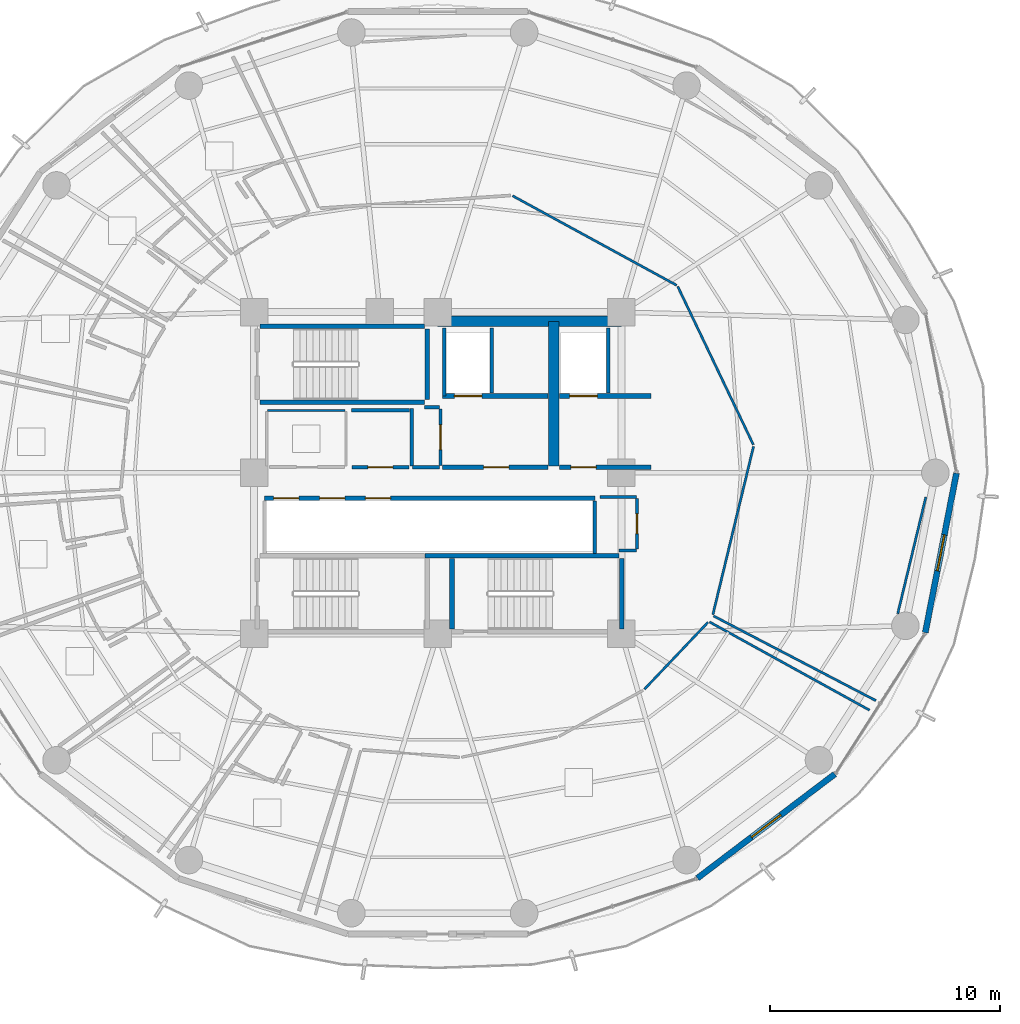
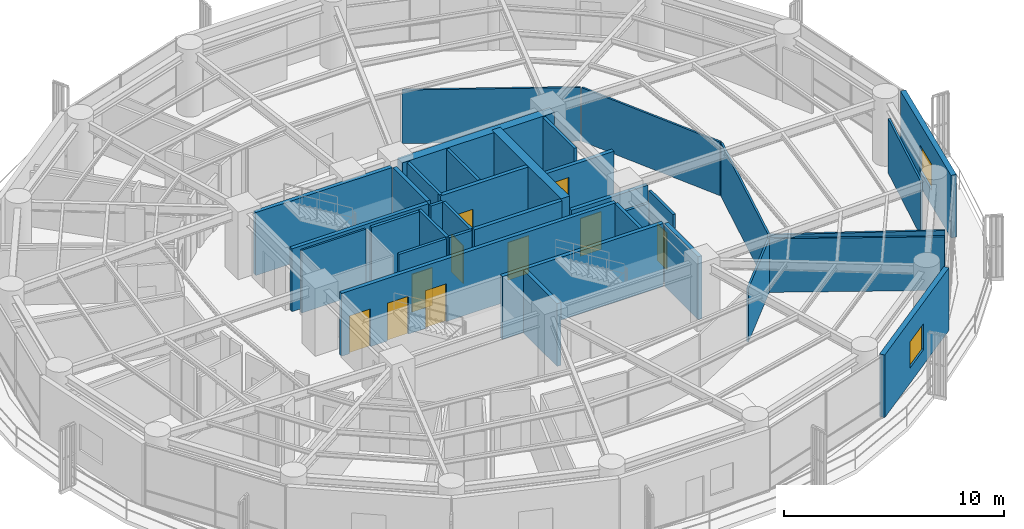
# One storey, part 23 of 29: 36 walls, 10 doors, 2 windows, 12 openings.
"""IFC4 building model written with IfcOpenShell, lengths in metres."""

import ifcopenshell
import ifcopenshell.guid

model = None  # the IFC model being written
_history = None  # IfcOwnerHistory: only IFC2X3 demands one
_inside = {}  # id of a spatial element -> (the spatial element, [elements in it])
_under = {}  # id of a project, library or spatial element -> (it, [spatial elements below it])
_declared = {}  # id of a project -> (the project, [libraries it declares])
_typed = {}  # id of a type object -> (the type object, [elements of that type])
_made_of = {}  # id of a material, layer set ... -> (it, [elements and type objects made of it])


def new_model(schema):
    """Start an empty IFC model of exactly this schema.

    Asked for "IFC4X3", IfcOpenShell would pick the latest addendum, in which some entities
    have other attributes; the version numbers below select the first issue.
    IFC2X3 requires an IfcOwnerHistory on every rooted entity: one is made here for all.
    """
    global model, _history
    if schema == "IFC4X3":
        model = ifcopenshell.file(schema_version=(4, 3, 0, 0))
    else:
        model = ifcopenshell.file(schema=schema)
    _inside.clear()
    _under.clear()
    _declared.clear()
    _typed.clear()
    _made_of.clear()
    _history = None
    if model.schema == "IFC2X3":
        org = make("IfcOrganization", Name="unknown")
        user = make(
            "IfcPersonAndOrganization",
            ThePerson=make("IfcPerson", FamilyName="unknown"),
            TheOrganization=org,
        )
        app = make(
            "IfcApplication",
            ApplicationDeveloper=org,
            Version="unknown",
            ApplicationFullName="unknown",
            ApplicationIdentifier="unknown",
        )
        _history = make(
            "IfcOwnerHistory",
            OwningUser=user,
            OwningApplication=app,
            ChangeAction="ADDED",
            CreationDate=0,
        )
    return model


def make(cls, **values):
    """One entity of the class cls with the attributes given. An attribute that is None is left unset."""
    return model.create_entity(
        cls, **{name: value for name, value in values.items() if value is not None}
    )


def rooted(cls, **values):
    """An entity with a GlobalId (a new one), such as an element, a storey or a relation."""
    return make(cls, GlobalId=ifcopenshell.guid.new(), OwnerHistory=_history, **values)


def si_unit(unit_type, name, prefix=None):
    """IfcSIUnit, for example si_unit("LENGTHUNIT", "METRE", prefix="MILLI")."""
    return make("IfcSIUnit", UnitType=unit_type, Prefix=prefix, Name=name)


def assignment(units):
    """IfcUnitAssignment: the units of a project."""
    return None if units is None else make("IfcUnitAssignment", Units=units)


def point(xyz):
    """IfcCartesianPoint."""
    return None if xyz is None else make("IfcCartesianPoint", Coordinates=xyz)


def direction(xyz):
    """IfcDirection."""
    return None if xyz is None else make("IfcDirection", DirectionRatios=xyz)


def frame(location, z_axis=None, x_axis=None):
    """IfcAxis2Placement3D, a coordinate frame: its origin and axes. An axis left out is left unset."""
    return make(
        "IfcAxis2Placement3D",
        Location=point(location),
        Axis=direction(z_axis),
        RefDirection=direction(x_axis),
    )


def frame_2d(location, x_axis=None):
    """IfcAxis2Placement2D, a coordinate frame in the plane: its origin and x axis."""
    return make(
        "IfcAxis2Placement2D", Location=point(location), RefDirection=direction(x_axis)
    )


def origin():
    """The frame at (0, 0, 0) with its axes left unset."""
    return frame((0.0, 0.0, 0.0))


def place(relative_to, where):
    """IfcLocalPlacement: puts the frame where relative to a parent placement (None: the world)."""
    return make(
        "IfcLocalPlacement", PlacementRelTo=relative_to, RelativePlacement=where
    )


def context(
    kind, dimensions, precision=None, world=None, true_north=None, identifier=None
):
    """IfcGeometricRepresentationContext, for example the 3D "Model" context."""
    return make(
        "IfcGeometricRepresentationContext",
        ContextIdentifier=identifier,
        ContextType=kind,
        CoordinateSpaceDimension=dimensions,
        Precision=precision,
        WorldCoordinateSystem=world,
        TrueNorth=true_north,
    )


def subcontext(parent, identifier, kind, view, scale=None):
    """IfcGeometricRepresentationSubContext, for example "Body" below "Model"."""
    return make(
        "IfcGeometricRepresentationSubContext",
        ContextIdentifier=identifier,
        ContextType=kind,
        ParentContext=parent,
        TargetScale=scale,
        TargetView=view,
    )


def project(units=None, contexts=None):
    """IfcProject with its units and contexts."""
    return rooted(
        "IfcProject",
        Name="project",
        RepresentationContexts=contexts,
        UnitsInContext=assignment(units),
    )


def spatial(cls, under=None, at=None, **own):
    """A site, building, storey or space (cls), placed at a placement, below another one or the project."""
    s = rooted(cls, ObjectPlacement=at, **own)
    if under is not None:
        _under.setdefault(under.id(), (under, []))[1].append(s)
    return s


def profile(cls, at=None, kind="AREA", **sizes):
    """A parametric profile (cls). Its sizes go by their IFC names, for example OverallWidth=200.0."""
    return make(cls, ProfileType=kind, Position=at, **sizes)


def rectangle(**sizes):
    """IfcRectangleProfileDef."""
    return profile("IfcRectangleProfileDef", **sizes)


def extrude(swept, where, along, depth):
    """IfcExtrudedAreaSolid: the profile swept, set in the frame where, extruded along a direction by depth."""
    return make(
        "IfcExtrudedAreaSolid",
        SweptArea=swept,
        Position=where,
        ExtrudedDirection=direction(along),
        Depth=depth,
    )


def shape(context_of_items, identifier, shape_type, items):
    """IfcShapeRepresentation: the items that make up one representation, for example the "Body"."""
    return make(
        "IfcShapeRepresentation",
        ContextOfItems=context_of_items,
        RepresentationIdentifier=identifier,
        RepresentationType=shape_type,
        Items=items,
    )


def material(Name=None, Category=None):
    """IfcMaterial."""
    return make("IfcMaterial", Name=Name, Category=Category)


def layer(
    of_material, thickness, ventilated=None, Name=None, Category=None, Priority=None
):
    """IfcMaterialLayer: one layer of a wall or slab, of a material (None: an air gap)."""
    return make(
        "IfcMaterialLayer",
        Material=of_material,
        LayerThickness=thickness,
        IsVentilated=ventilated,
        Name=Name,
        Category=Category,
        Priority=Priority,
    )


def layer_set(layers, Name=None):
    """IfcMaterialLayerSet."""
    return make("IfcMaterialLayerSet", MaterialLayers=layers, LayerSetName=Name)


def made_of(thing, what):
    """Note that an element or type object is made of a material, layer set ...; save() writes the relation."""
    if what is not None:
        _made_of.setdefault(what.id(), (what, []))[1].append(thing)
    return thing


def type_object(cls, material=None, **own):
    """A type object (cls), such as IfcWallType, which elements share."""
    return made_of(rooted(cls, **own), material)


def element(
    cls,
    number,
    at=None,
    inside=None,
    cuts=None,
    type_object=None,
    material=None,
    context=None,
    identifier="Body",
    shape_type=None,
    held_by="IfcProductDefinitionShape",
    body=None,
    shapes=None,
    **own,
):
    """One element of the class cls, such as IfcWall. Its Tag is "e" and its number.

    at: its placement. inside: the storey or other place that contains it. cuts: it is an
    opening in that element (IfcRelVoidsElement). A single representation is given by context,
    identifier, shape_type and body (its items); several are given by shapes. held_by: the class
    of the entity that holds the representations. save() writes the other relations.
    """
    e = rooted(cls, Tag="e%d" % number, ObjectPlacement=at, **own)
    if body is not None:
        shapes = [shape(context, identifier, shape_type, body)]
    if shapes is not None:
        e.Representation = make(held_by, Representations=shapes)
    if inside is not None:
        _inside.setdefault(inside.id(), (inside, []))[1].append(e)
    if cuts is not None:
        rooted(
            "IfcRelVoidsElement", RelatingBuildingElement=cuts, RelatedOpeningElement=e
        )
    if type_object is not None:
        _typed.setdefault(type_object.id(), (type_object, []))[1].append(e)
    return made_of(e, material)


def fill(opening, filler):
    """IfcRelFillsElement: the door or window that sits in an opening."""
    return rooted(
        "IfcRelFillsElement",
        RelatingOpeningElement=opening,
        RelatedBuildingElement=filler,
    )


def aggregate(whole, parts):
    """IfcRelAggregates: a whole, such as a stair, and the parts it consists of."""
    return rooted("IfcRelAggregates", RelatingObject=whole, RelatedObjects=parts)


def save(model, path):
    """Write the relations noted so far, then the file.

    IfcRelAggregates (storeys below a building ...), IfcRelContainedInSpatialStructure (elements
    in a storey), IfcRelDefinesByType, IfcRelAssociatesMaterial and IfcRelDeclares: one each for
    every whole, place, type object, material and project.
    """
    for whole, parts in _under.values():
        aggregate(whole, parts)
    for where, things in _inside.values():
        rooted(
            "IfcRelContainedInSpatialStructure",
            RelatedElements=things,
            RelatingStructure=where,
        )
    for kind, things in _typed.values():
        rooted("IfcRelDefinesByType", RelatedObjects=things, RelatingType=kind)
    for what, things in _made_of.values():
        rooted("IfcRelAssociatesMaterial", RelatedObjects=things, RelatingMaterial=what)
    for by, libraries in _declared.values():
        rooted("IfcRelDeclares", RelatingContext=by, RelatedDefinitions=libraries)
    model.write(path)


model = new_model("IFC4")

# Units and contexts
model_context = context("Model", 3, precision=1e-05, world=origin(), true_north=direction((0.0, 1.0)))
body_context = subcontext(model_context, "Body", "Model", "MODEL_VIEW")
ifc_project = project(units=[si_unit("LENGTHUNIT", "METRE"), si_unit("AREAUNIT", "SQUARE_METRE"), si_unit("VOLUMEUNIT", "CUBIC_METRE"), si_unit("PLANEANGLEUNIT", "RADIAN"), si_unit("MASSUNIT", "GRAM", prefix="KILO")], contexts=[model_context])

# Site, building, storey
site_placement = place(None, origin())
site = spatial("IfcSite", under=ifc_project, at=site_placement, CompositionType="ELEMENT")
building_placement = place(site_placement, origin())
building = spatial("IfcBuilding", under=site, at=building_placement, Name="Kelanora Arch Commons", CompositionType="ELEMENT")
storey_placement = place(building_placement, frame((0.0, 0.0, 135.60009765625)))
storey = spatial("IfcBuildingStorey", under=building, at=storey_placement, Name="L34", CompositionType="ELEMENT", Elevation=135.60009765625)

# Walls
ifc_material_1 = material(Name="Autoclaved aerated concrete blockwork with fire plaster", Category="masonry")
ifc_layer_1 = layer(ifc_material_1, 0.14990234375)
ifc_layer_set_1 = layer_set([ifc_layer_1], Name="Autoclaved aerated concrete blockwork with fire plaster")
wall_type_1 = type_object("IfcWallType", Name="W-COMP-150", PredefinedType="PARTITIONING", material=ifc_layer_set_1)
wall_1_placement = place(storey_placement, frame((74.280029296875, 61.35009765625, 0.0), z_axis=(0.0, 0.0, 1.0), x_axis=(0.0, 1.0, 0.0)))
element("IfcWall", 1, at=wall_1_placement, inside=storey, type_object=wall_type_1, Name="Firefighting Lift 1 West Shaft Wall L34", PredefinedType="PARTITIONING", context=body_context, shape_type="SweptSolid", body=[
    extrude(rectangle(XDim=2.969970703125, YDim=0.14990234375, at=frame_2d((1.48486328125, 0.0))), origin(), (0.0, 0.0, 1.0), 3.47998046875),
])
for number, where, z_axis, x_axis, name in (
    (2, (76.360107421875, 61.47998046875, 0.0), (0.0, 0.0, 1.0), (0.0, 1.0, 0.0), "Firefighting Lift 1 East Shaft Wall L34"),
    (3, (81.419921875, 61.47998046875, 0.0), (0.0, 0.0, 1.0), (0.0, 1.0, 0.0), "Firefighting Lift 2 East Shaft Wall L34"),
):
    element("IfcWall", number, at=place(storey_placement, frame(where, z_axis=z_axis, x_axis=x_axis)), inside=storey, type_object=wall_type_1, Name=name, PredefinedType="PARTITIONING", context=body_context, shape_type="SweptSolid", body=[
        extrude(rectangle(XDim=2.840087890625, YDim=0.14990234375, at=frame_2d((1.419921875, 0.0))), origin(), (0.0, 0.0, 1.0), 3.47998046875),
    ])
wall_2_placement = place(storey_placement, frame((80.840087890625, 54.47998046875, 0.0), z_axis=(0.0, 0.0, 1.0), x_axis=(0.0, 1.0, 0.0)))
element("IfcWall", 4, at=wall_2_placement, inside=storey, type_object=wall_type_1, Name="South Lift Bank East Wall L34", PredefinedType="PARTITIONING", context=body_context, shape_type="SweptSolid", body=[
    extrude(rectangle(XDim=2.2900390625, YDim=0.14990234375, at=frame_2d((1.14501953125, 0.0))), origin(), (0.0, 0.0, 1.0), 3.47998046875),
])

# Wall, opening, door
wall_3_placement = place(storey_placement, frame((74.1201171875, 58.31005859375, 0.0), z_axis=(0.0, 0.0, 1.0), x_axis=(0.0, 1.0, 0.0)))
wall_3 = element("IfcWall", 5, at=wall_3_placement, inside=storey, type_object=wall_type_1, Name="Core Linen Supply Store L34 Entry Partition", PredefinedType="PARTITIONING", context=body_context, shape_type="SweptSolid", body=[
    extrude(rectangle(XDim=2.47998046875, YDim=0.14990234375, at=frame_2d((1.239990234375, 0.0))), origin(), (0.0, 0.0, 1.0), 3.47998046875),
])
opening_1_placement = place(wall_3_placement, frame((0.699951171875, 0.0, 0.0)))
opening_1 = element("IfcOpeningElement", 6, at=opening_1_placement, cuts=wall_3, Name="Opening D-PLT1", PredefinedType="OPENING", context=body_context, shape_type="SweptSolid", body=[
    extrude(rectangle(XDim=1.080078125, YDim=2.10009765625, at=frame_2d((0.5400390625, 1.050048828125))), frame((0.0, 0.0849609375, 0.0), z_axis=(0.0, -1.0, 0.0), x_axis=(1.0, 0.0, 0.0)), (0.0, 0.0, 1.0), 0.169921875),
])
ifc_material_2 = material(Name="Galvanised steel plant and riser fire door", Category="steel")
door_type_1 = type_object("IfcDoorType", Name="D-PLT-110", OperationType="NOTDEFINED", PredefinedType="DOOR", material=ifc_material_2)
door_1_placement = place(opening_1_placement, origin())
door_1 = element("IfcDoor", 7, at=door_1_placement, inside=storey, type_object=door_type_1, Name="Core Linen Supply Store L34 Door", OperationType="SINGLE_SWING_RIGHT", OverallHeight=2.10009765625, OverallWidth=1.080078125, PredefinedType="DOOR", context=body_context, shape_type="SweptSolid", body=[
    extrude(rectangle(XDim=1.080078125, YDim=2.10009765625, at=frame_2d((0.5400390625, 1.050048828125))), frame((0.0, 0.02490234375, 0.0), z_axis=(0.0, -1.0, 0.0), x_axis=(1.0, 0.0, 0.0)), (0.0, 0.0, 1.0), 0.050048828125),
])
fill(opening_1, door_1)

wall_4_placement = place(storey_placement, frame((70.260009765625, 58.25, 0.0), z_axis=(0.0, 0.0, 1.0), x_axis=(1.0, 0.0, 0.0)))
wall_4 = element("IfcWall", 8, at=wall_4_placement, inside=storey, type_object=wall_type_1, Name="Reclaimed Core Linen Store L34 Entry Partition", PredefinedType="PARTITIONING", context=body_context, shape_type="SweptSolid", body=[
    extrude(rectangle(XDim=2.47998046875, YDim=0.14990234375, at=frame_2d((1.239990234375, 0.0))), origin(), (0.0, 0.0, 1.0), 3.47998046875),
])
opening_2_placement = place(wall_4_placement, frame((0.699951171875, 0.0, 0.0)))
opening_2 = element("IfcOpeningElement", 9, at=opening_2_placement, cuts=wall_4, Name="Opening D-PLT1", PredefinedType="OPENING", context=body_context, shape_type="SweptSolid", body=[
    extrude(rectangle(XDim=1.080078125, YDim=2.10009765625, at=frame_2d((0.5400390625, 1.050048828125))), frame((0.0, 0.0849609375, 0.0), z_axis=(0.0, -1.0, 0.0), x_axis=(1.0, 0.0, 0.0)), (0.0, 0.0, 1.0), 0.169921875),
])
door_2_placement = place(opening_2_placement, origin())
door_2 = element("IfcDoor", 10, at=door_2_placement, inside=storey, type_object=door_type_1, Name="Reclaimed Core Linen Store L34 Door", OperationType="SINGLE_SWING_LEFT", OverallHeight=2.10009765625, OverallWidth=1.080078125, PredefinedType="DOOR", context=body_context, shape_type="SweptSolid", body=[
    extrude(rectangle(XDim=1.080078125, YDim=2.10009765625, at=frame_2d((0.5400390625, 1.050048828125))), frame((0.0, 0.02490234375, 0.0), z_axis=(0.0, -1.0, 0.0), x_axis=(1.0, 0.0, 0.0)), (0.0, 0.0, 1.0), 0.050048828125),
])
fill(opening_2, door_2)

# Walls
wall_5_placement = place(storey_placement, frame((72.89990234375, 58.25, 0.0), z_axis=(0.0, 0.0, 1.0), x_axis=(1.0, 0.0, 0.0)))
element("IfcWall", 11, at=wall_5_placement, inside=storey, type_object=wall_type_1, Name="Core Linen Supply Store L34 Enclosure Partition 1", PredefinedType="PARTITIONING", context=body_context, shape_type="SweptSolid", body=[
    extrude(rectangle(XDim=1.18017578125, YDim=0.14990234375, at=frame_2d((0.590087890625, 0.0))), origin(), (0.0, 0.0, 1.0), 3.47998046875),
])
wall_6_placement = place(storey_placement, frame((74.080078125, 60.85009765625, 0.0), z_axis=(0.0, 0.0, 1.0), x_axis=(-1.0, 0.0, 0.0)))
element("IfcWall", 12, at=wall_6_placement, inside=storey, type_object=wall_type_1, Name="Core Linen Supply Store L34 Enclosure Partition 3", PredefinedType="PARTITIONING", context=body_context, shape_type="SweptSolid", body=[
    extrude(rectangle(XDim=0.66015625, YDim=0.14990234375, at=frame_2d((0.330078125, 0.0))), origin(), (0.0, 0.0, 1.0), 3.47998046875),
])
for number, where, z_axis, x_axis, name in (
    (13, (72.860107421875, 60.81005859375, 0.0), (0.0, 0.0, 1.0), (0.0, -1.0, 0.0), "Core Linen Supply Store L34 Enclosure Partition 4"),
    (14, (72.760009765625, 60.719970703125, 0.0), (0.0, 0.0, 1.0), (-1.0, 0.0, 0.0), "Reclaimed Core Linen Store L34 Enclosure Partition 3"),
):
    element("IfcWall", number, at=place(storey_placement, frame(where, z_axis=z_axis, x_axis=x_axis)), inside=storey, type_object=wall_type_1, Name=name, PredefinedType="PARTITIONING", context=body_context, shape_type="SweptSolid", body=[
        extrude(rectangle(XDim=2.52001953125, YDim=0.14990234375, at=frame_2d((1.260009765625, 0.0))), origin(), (0.0, 0.0, 1.0), 3.47998046875),
    ])
ifc_material_3 = material(Name="Concrete C60/75", Category="concrete")
ifc_layer_2 = layer(ifc_material_3, 0.449951171875)
ifc_layer_set_2 = layer_set([ifc_layer_2], Name="Concrete C60/75")
wall_type_2 = type_object("IfcWallType", Name="W-CORE-450", PredefinedType="SHEAR", material=ifc_layer_set_2)
wall_7_placement = place(storey_placement, frame((74.0, 64.60009765625, 0.0), z_axis=(0.0, 0.0, 1.0), x_axis=(1.0, 0.0, 0.0)))
element("IfcWall", 15, at=wall_7_placement, inside=storey, type_object=wall_type_2, Name="Core Shear Spine L34-CN-E", PredefinedType="SHEAR", context=body_context, shape_type="SweptSolid", body=[
    extrude(rectangle(XDim=8.0, YDim=0.449951171875, at=frame_2d((4.0, 0.0))), origin(), (0.0, 0.0, 1.0), 3.489990234375),
])
wall_8_placement = place(storey_placement, frame((79.050048828125, 58.300048828125, 0.0), z_axis=(0.0, 0.0, 1.0), x_axis=(0.0, 1.0, 0.0)))
element("IfcWall", 16, at=wall_8_placement, inside=storey, type_object=wall_type_2, Name="Core Shear Spine L34-CE-N", PredefinedType="SHEAR", context=body_context, shape_type="SweptSolid", body=[
    extrude(rectangle(XDim=6.300048828125, YDim=0.449951171875, at=frame_2d((3.14990234375, 0.0))), origin(), (0.0, 0.0, 1.0), 3.489990234375),
])

# Wall, opening, window
ifc_material_4 = material(Name="Precast concrete C40/50 with terracotta rainscreen", Category="masonry")
ifc_layer_3 = layer(ifc_material_4, 0.260009765625)
ifc_layer_set_3 = layer_set([ifc_layer_3], Name="Precast concrete C40/50 with terracotta rainscreen")
wall_type_3 = type_object("IfcWallType", Name="W-EXT-TC", PredefinedType="SOLIDWALL", material=ifc_layer_set_3)
wall_9_placement = place(storey_placement, frame((85.31201171875, 40.34228515625, 0.0), z_axis=(0.0, 0.0, 1.0), x_axis=(0.797163719609, 0.603763202042, 0.0)))
wall_9 = element("IfcWall", 17, at=wall_9_placement, inside=storey, type_object=wall_type_3, Name="Terracotta Exterior Wall L34-B15", PredefinedType="SOLIDWALL", context=body_context, shape_type="SweptSolid", body=[
    extrude(rectangle(XDim=7.51220703125, YDim=0.260009765625, at=frame_2d((3.756103515625, 0.0))), origin(), (0.0, 0.0, 1.0), 3.474853515625),
])
opening_3_placement = place(wall_9_placement, frame((2.9560546875, 0.0, 0.85009765625)))
opening_3 = element("IfcOpeningElement", 18, at=opening_3_placement, cuts=wall_9, Name="Opening WN-01", PredefinedType="OPENING", context=body_context, shape_type="SweptSolid", body=[
    extrude(rectangle(XDim=1.60009765625, YDim=1.449951171875, at=frame_2d((0.800048828125, 0.72509765625))), frame((0.0, 0.14013671875, 0.0), z_axis=(0.0, -1.0, 0.0), x_axis=(1.0, 0.0, 0.0)), (0.0, 0.0, 1.0), 0.280029296875),
])
ifc_material_5 = material(Name="Terracotta-anodised aluminium frame with operable low-E glazing", Category="masonry")
window_type = type_object("IfcWindowType", Name="WIN-CL-18", PartitioningType="DOUBLE_PANEL_VERTICAL", PredefinedType="WINDOW", material=ifc_material_5)
window_1_placement = place(opening_3_placement, origin())
window_1 = element("IfcWindow", 19, at=window_1_placement, inside=storey, type_object=window_type, Name="Co-Living Operable Window L34-B15", OverallHeight=1.449951171875, OverallWidth=1.60009765625, PartitioningType="SINGLE_PANEL", PredefinedType="WINDOW", context=body_context, shape_type="SweptSolid", body=[
    extrude(rectangle(XDim=1.60009765625, YDim=1.449951171875, at=frame_2d((0.800048828125, 0.72509765625))), frame((0.0, 0.030029296875, 0.0), z_axis=(0.0, -1.0, 0.0), x_axis=(1.0, 0.0, 0.0)), (0.0, 0.0, 1.0), 0.06005859375),
])
fill(opening_3, window_1)

wall_10_placement = place(storey_placement, frame((95.239990234375, 51.03759765625, 0.0), z_axis=(0.0, 0.0, 1.0), x_axis=(0.191716984769, 0.981450252306, 0.0)))
wall_10 = element("IfcWall", 20, at=wall_10_placement, inside=storey, type_object=wall_type_3, Name="Terracotta Exterior Wall L34-B17", PredefinedType="SOLIDWALL", context=body_context, shape_type="SweptSolid", body=[
    extrude(rectangle(XDim=7.0791015625, YDim=0.260009765625, at=frame_2d((3.53955078125, 0.0))), origin(), (0.0, 0.0, 1.0), 3.474853515625),
])
opening_4_placement = place(wall_10_placement, frame((2.739990234375, 0.0, 0.85009765625)))
opening_4 = element("IfcOpeningElement", 21, at=opening_4_placement, cuts=wall_10, Name="Opening WN-01", PredefinedType="OPENING", context=body_context, shape_type="SweptSolid", body=[
    extrude(rectangle(XDim=1.60009765625, YDim=1.449951171875, at=frame_2d((0.800048828125, 0.72509765625))), frame((0.0, 0.14013671875, 0.0), z_axis=(0.0, -1.0, 0.0), x_axis=(1.0, 0.0, 0.0)), (0.0, 0.0, 1.0), 0.280029296875),
])
window_2_placement = place(opening_4_placement, origin())
window_2 = element("IfcWindow", 22, at=window_2_placement, inside=storey, type_object=window_type, Name="Co-Living Operable Window L34-B17", OverallHeight=1.449951171875, OverallWidth=1.60009765625, PartitioningType="SINGLE_PANEL", PredefinedType="WINDOW", context=body_context, shape_type="SweptSolid", body=[
    extrude(rectangle(XDim=1.60009765625, YDim=1.449951171875, at=frame_2d((0.800048828125, 0.72509765625))), frame((0.0, 0.030029296875, 0.0), z_axis=(0.0, -1.0, 0.0), x_axis=(1.0, 0.0, 0.0)), (0.0, 0.0, 1.0), 0.06005859375),
])
fill(opening_4, window_2)

# Wall, opening, door
ifc_material_6 = material(Name="Concrete C40/50", Category="concrete")
ifc_layer_4 = layer(ifc_material_6, 0.199951171875)
ifc_layer_set_4 = layer_set([ifc_layer_4], Name="Concrete C40/50")
wall_type_4 = type_object("IfcWallType", Name="W-FFL-200", PredefinedType="SOLIDWALL", material=ifc_layer_set_4)
wall_11_placement = place(storey_placement, frame((74.199951171875, 61.35009765625, 0.0), z_axis=(0.0, 0.0, 1.0), x_axis=(1.0, 0.0, 0.0)))
wall_11 = element("IfcWall", 23, at=wall_11_placement, inside=storey, type_object=wall_type_4, Name="Firefighting Lift 1 Shaft Front L34", PredefinedType="SOLIDWALL", context=body_context, shape_type="SweptSolid", body=[
    extrude(rectangle(XDim=4.60009765625, YDim=0.199951171875, at=frame_2d((2.300048828125, 0.0))), origin(), (0.0, 0.0, 1.0), 3.47998046875),
])
opening_5_placement = place(wall_11_placement, frame((0.52001953125, 0.0, 0.0)))
opening_5 = element("IfcOpeningElement", 24, at=opening_5_placement, cuts=wall_11, Name="Opening LD-FF", PredefinedType="OPENING", context=body_context, shape_type="SweptSolid", body=[
    extrude(rectangle(XDim=1.199951171875, YDim=2.14990234375, at=frame_2d((0.60009765625, 1.074951171875))), frame((0.0, 0.10986328125, 0.0), z_axis=(0.0, -1.0, 0.0), x_axis=(1.0, 0.0, 0.0)), (0.0, 0.0, 1.0), 0.219970703125),
])
ifc_material_7 = material(Name="Fire-rated firefighters lift sliding landing door")
door_type_2 = type_object("IfcDoorType", Name="D-LIFT-FF", OperationType="NOTDEFINED", PredefinedType="DOOR", material=ifc_material_7)
door_3_placement = place(opening_5_placement, origin())
door_3 = element("IfcDoor", 25, at=door_3_placement, inside=storey, type_object=door_type_2, Name="Firefighting Lift LF-FF1 Landing Door L34", OperationType="DOUBLE_DOOR_SLIDING", OverallHeight=2.14990234375, OverallWidth=1.199951171875, PredefinedType="DOOR", context=body_context, shape_type="SweptSolid", body=[
    extrude(rectangle(XDim=1.199951171875, YDim=2.14990234375, at=frame_2d((0.60009765625, 1.074951171875))), frame((0.0, 0.02490234375, 0.0), z_axis=(0.0, -1.0, 0.0), x_axis=(1.0, 0.0, 0.0)), (0.0, 0.0, 1.0), 0.050048828125),
])
fill(opening_5, door_3)

wall_12_placement = place(storey_placement, frame((79.300048828125, 61.35009765625, 0.0), z_axis=(0.0, 0.0, 1.0), x_axis=(1.0, 0.0, 0.0)))
wall_12 = element("IfcWall", 26, at=wall_12_placement, inside=storey, type_object=wall_type_4, Name="Firefighting Lift 2 Shaft Front L34", PredefinedType="SOLIDWALL", context=body_context, shape_type="SweptSolid", body=[
    extrude(rectangle(XDim=4.0, YDim=0.199951171875, at=frame_2d((2.0, 0.0))), origin(), (0.0, 0.0, 1.0), 2.77490234375),
])
opening_6_placement = place(wall_12_placement, frame((0.449951171875, 0.0, 0.0)))
opening_6 = element("IfcOpeningElement", 27, at=opening_6_placement, cuts=wall_12, Name="Opening LD-FF", PredefinedType="OPENING", context=body_context, shape_type="SweptSolid", body=[
    extrude(rectangle(XDim=1.199951171875, YDim=2.14990234375, at=frame_2d((0.60009765625, 1.074951171875))), frame((0.0, 0.10986328125, 0.0), z_axis=(0.0, -1.0, 0.0), x_axis=(1.0, 0.0, 0.0)), (0.0, 0.0, 1.0), 0.219970703125),
])
door_4_placement = place(opening_6_placement, origin())
door_4 = element("IfcDoor", 28, at=door_4_placement, inside=storey, type_object=door_type_2, Name="Firefighting Lift LF-FF2 Landing Door L34", OperationType="DOUBLE_DOOR_SLIDING", OverallHeight=2.14990234375, OverallWidth=1.199951171875, PredefinedType="DOOR", context=body_context, shape_type="SweptSolid", body=[
    extrude(rectangle(XDim=1.199951171875, YDim=2.14990234375, at=frame_2d((0.60009765625, 1.074951171875))), frame((0.0, 0.02490234375, 0.0), z_axis=(0.0, -1.0, 0.0), x_axis=(1.0, 0.0, 0.0)), (0.0, 0.0, 1.0), 0.050048828125),
])
fill(opening_6, door_4)

wall_13_placement = place(storey_placement, frame((74.199951171875, 58.25, 0.0), z_axis=(0.0, 0.0, 1.0), x_axis=(1.0, 0.0, 0.0)))
wall_13 = element("IfcWall", 29, at=wall_13_placement, inside=storey, type_object=wall_type_4, Name="Firefighting Lobby 1 Enclosure Wall L34", PredefinedType="SOLIDWALL", context=body_context, shape_type="SweptSolid", body=[
    extrude(rectangle(XDim=4.60009765625, YDim=0.199951171875, at=frame_2d((2.300048828125, 0.0))), origin(), (0.0, 0.0, 1.0), 3.47998046875),
])
opening_7_placement = place(wall_13_placement, frame((1.800048828125, 0.0, 0.0)))
opening_7 = element("IfcOpeningElement", 30, at=opening_7_placement, cuts=wall_13, Name="Opening D-FFL1", PredefinedType="OPENING", context=body_context, shape_type="SweptSolid", body=[
    extrude(rectangle(XDim=1.10009765625, YDim=2.10009765625, at=frame_2d((0.550048828125, 1.050048828125))), frame((0.0, 0.10986328125, 0.0), z_axis=(0.0, -1.0, 0.0), x_axis=(1.0, 0.0, 0.0)), (0.0, 0.0, 1.0), 0.219970703125),
])
ifc_material_8 = material(Name="Smoke-sealed firefighting lobby fire door")
door_type_3 = type_object("IfcDoorType", Name="D-FFL-110", OperationType="NOTDEFINED", PredefinedType="DOOR", material=ifc_material_8)
door_5_placement = place(opening_7_placement, frame((1.10009765625, 0.0, 0.0), z_axis=(0.0, 0.0, 1.0), x_axis=(-1.0, 0.0, 0.0)))
door_5 = element("IfcDoor", 31, at=door_5_placement, inside=storey, type_object=door_type_3, Name="Firefighting Lobby 1 Door L34", OperationType="SINGLE_SWING_LEFT", OverallHeight=2.10009765625, OverallWidth=1.10009765625, PredefinedType="DOOR", context=body_context, shape_type="SweptSolid", body=[
    extrude(rectangle(XDim=1.10009765625, YDim=2.10009765625, at=frame_2d((0.550048828125, 1.050048828125))), frame((0.0, 0.02490234375, 0.0), z_axis=(0.0, -1.0, 0.0), x_axis=(1.0, 0.0, 0.0)), (0.0, 0.0, 1.0), 0.050048828125),
])
fill(opening_7, door_5)

wall_14_placement = place(storey_placement, frame((79.300048828125, 58.25, 0.0), z_axis=(0.0, 0.0, 1.0), x_axis=(1.0, 0.0, 0.0)))
wall_14 = element("IfcWall", 32, at=wall_14_placement, inside=storey, type_object=wall_type_4, Name="Firefighting Lobby 2 Enclosure Wall L34", PredefinedType="SOLIDWALL", context=body_context, shape_type="SweptSolid", body=[
    extrude(rectangle(XDim=4.0, YDim=0.199951171875, at=frame_2d((2.0, 0.0))), origin(), (0.0, 0.0, 1.0), 2.77490234375),
])
opening_8_placement = place(wall_14_placement, frame((0.5, 0.0, 0.0)))
opening_8 = element("IfcOpeningElement", 33, at=opening_8_placement, cuts=wall_14, Name="Opening D-FFL1", PredefinedType="OPENING", context=body_context, shape_type="SweptSolid", body=[
    extrude(rectangle(XDim=1.10009765625, YDim=2.10009765625, at=frame_2d((0.550048828125, 1.050048828125))), frame((0.0, 0.10986328125, 0.0), z_axis=(0.0, -1.0, 0.0), x_axis=(1.0, 0.0, 0.0)), (0.0, 0.0, 1.0), 0.219970703125),
])
door_6_placement = place(opening_8_placement, frame((1.10009765625, 0.0, 0.0), z_axis=(0.0, 0.0, 1.0), x_axis=(-1.0, 0.0, 0.0)))
door_6 = element("IfcDoor", 34, at=door_6_placement, inside=storey, type_object=door_type_3, Name="Firefighting Lobby 2 Door L34", OperationType="SINGLE_SWING_RIGHT", OverallHeight=2.10009765625, OverallWidth=1.10009765625, PredefinedType="DOOR", context=body_context, shape_type="SweptSolid", body=[
    extrude(rectangle(XDim=1.10009765625, YDim=2.10009765625, at=frame_2d((0.550048828125, 1.050048828125))), frame((0.0, 0.02490234375, 0.0), z_axis=(0.0, -1.0, 0.0), x_axis=(1.0, 0.0, 0.0)), (0.0, 0.0, 1.0), 0.050048828125),
])
fill(opening_8, door_6)

# Wall, openings, doors
wall_15_placement = place(storey_placement, frame((66.449951171875, 56.89990234375, 0.0), z_axis=(0.0, 0.0, 1.0), x_axis=(1.0, 0.0, 0.0)))
wall_15 = element("IfcWall", 35, at=wall_15_placement, inside=storey, type_object=wall_type_4, Name="Mid/High/Express Lift Shaft Front L34", PredefinedType="SOLIDWALL", context=body_context, shape_type="SweptSolid", body=[
    extrude(rectangle(XDim=14.400146484375, YDim=0.199951171875, at=frame_2d((7.2001953125, 0.0))), origin(), (0.0, 0.0, 1.0), 3.47998046875),
])
opening_9_placement = place(wall_15_placement, frame((0.39990234375, 0.0, 0.0)))
opening_9 = element("IfcOpeningElement", 36, at=opening_9_placement, cuts=wall_15, Name="Opening LD-01", PredefinedType="OPENING", context=body_context, shape_type="SweptSolid", body=[
    extrude(rectangle(XDim=1.10009765625, YDim=2.10009765625, at=frame_2d((0.550048828125, 1.050048828125))), frame((0.0, 0.10986328125, 0.0), z_axis=(0.0, -1.0, 0.0), x_axis=(1.0, 0.0, 0.0)), (0.0, 0.0, 1.0), 0.219970703125),
])
opening_10_placement = place(wall_15_placement, frame((2.39990234375, 0.0, 0.0)))
opening_10 = element("IfcOpeningElement", 37, at=opening_10_placement, cuts=wall_15, Name="Opening LD-01", PredefinedType="OPENING", context=body_context, shape_type="SweptSolid", body=[
    extrude(rectangle(XDim=1.10009765625, YDim=2.10009765625, at=frame_2d((0.550048828125, 1.050048828125))), frame((0.0, 0.10986328125, 0.0), z_axis=(0.0, -1.0, 0.0), x_axis=(1.0, 0.0, 0.0)), (0.0, 0.0, 1.0), 0.219970703125),
])
opening_11_placement = place(wall_15_placement, frame((4.39990234375, 0.0, 0.0)))
opening_11 = element("IfcOpeningElement", 38, at=opening_11_placement, cuts=wall_15, Name="Opening LD-01", PredefinedType="OPENING", context=body_context, shape_type="SweptSolid", body=[
    extrude(rectangle(XDim=1.10009765625, YDim=2.10009765625, at=frame_2d((0.550048828125, 1.050048828125))), frame((0.0, 0.10986328125, 0.0), z_axis=(0.0, -1.0, 0.0), x_axis=(1.0, 0.0, 0.0)), (0.0, 0.0, 1.0), 0.219970703125),
])
ifc_material_9 = material(Name="Stainless steel passenger lift sliding landing door", Category="steel")
door_type_4 = type_object("IfcDoorType", Name="D-LIFT-110", OperationType="NOTDEFINED", PredefinedType="DOOR", material=ifc_material_9)
door_7_placement = place(opening_9_placement, origin())
door_7 = element("IfcDoor", 39, at=door_7_placement, inside=storey, type_object=door_type_4, Name="Passenger Lift LF-P4 Landing Door L34", OperationType="DOUBLE_DOOR_SLIDING", OverallHeight=2.10009765625, OverallWidth=1.10009765625, PredefinedType="DOOR", context=body_context, shape_type="SweptSolid", body=[
    extrude(rectangle(XDim=1.10009765625, YDim=2.10009765625, at=frame_2d((0.550048828125, 1.050048828125))), frame((0.0, 0.02490234375, 0.0), z_axis=(0.0, -1.0, 0.0), x_axis=(1.0, 0.0, 0.0)), (0.0, 0.0, 1.0), 0.050048828125),
])
fill(opening_9, door_7)
door_8_placement = place(opening_10_placement, origin())
door_8 = element("IfcDoor", 40, at=door_8_placement, inside=storey, type_object=door_type_4, Name="Passenger Lift LF-P5 Landing Door L34", OperationType="DOUBLE_DOOR_SLIDING", OverallHeight=2.10009765625, OverallWidth=1.10009765625, PredefinedType="DOOR", context=body_context, shape_type="SweptSolid", body=[
    extrude(rectangle(XDim=1.10009765625, YDim=2.10009765625, at=frame_2d((0.550048828125, 1.050048828125))), frame((0.0, 0.02490234375, 0.0), z_axis=(0.0, -1.0, 0.0), x_axis=(1.0, 0.0, 0.0)), (0.0, 0.0, 1.0), 0.050048828125),
])
fill(opening_10, door_8)
door_9_placement = place(opening_11_placement, origin())
door_9 = element("IfcDoor", 41, at=door_9_placement, inside=storey, type_object=door_type_4, Name="Passenger Lift LF-P6 Landing Door L34", OperationType="DOUBLE_DOOR_SLIDING", OverallHeight=2.10009765625, OverallWidth=1.10009765625, PredefinedType="DOOR", context=body_context, shape_type="SweptSolid", body=[
    extrude(rectangle(XDim=1.10009765625, YDim=2.10009765625, at=frame_2d((0.550048828125, 1.050048828125))), frame((0.0, 0.02490234375, 0.0), z_axis=(0.0, -1.0, 0.0), x_axis=(1.0, 0.0, 0.0)), (0.0, 0.0, 1.0), 0.050048828125),
])
fill(opening_11, door_9)

# Walls
ifc_material_10 = material(Name="Lightweight fire-rated acoustic stud partition")
ifc_layer_5 = layer(ifc_material_10, 0.10009765625)
ifc_layer_set_5 = layer_set([ifc_layer_5], Name="Lightweight fire-rated acoustic stud partition")
wall_type_5 = type_object("IfcWallType", Name="W-PART-100", PredefinedType="PARTITIONING", material=ifc_layer_set_5)
wall_16_placement = place(storey_placement, frame((69.9599609375, 60.719970703125, 0.0), z_axis=(0.0, 0.0, 1.0), x_axis=(-1.0, 0.0, 0.0)))
element("IfcWall", 42, at=wall_16_placement, inside=storey, type_object=wall_type_5, Name="Reclaimed Core Quiet Phone Booths L34 Enclosure Partition 3", PredefinedType="PARTITIONING", context=body_context, shape_type="SweptSolid", body=[
    extrude(rectangle(XDim=3.369873046875, YDim=0.10009765625, at=frame_2d((1.68505859375, 0.0))), origin(), (0.0, 0.0, 1.0), 3.47998046875),
])
wall_17_placement = place(storey_placement, frame((83.00048828125, 48.570068359375, 0.0), z_axis=(0.0, 0.0, 1.0), x_axis=(0.688528308603, 0.725209465088, 0.0)))
element("IfcWall", 43, at=wall_17_placement, inside=storey, type_object=wall_type_5, Name="South-East Social Sky Lounge L34 Enclosure Partition 4", PredefinedType="PARTITIONING", context=body_context, shape_type="SweptSolid", body=[
    extrude(rectangle(XDim=4.033447265625, YDim=0.10009765625, at=frame_2d((2.0166015625, 0.0))), origin(), (0.0, 0.0, 1.0), 2.974853515625),
])
wall_18_placement = place(storey_placement, frame((85.840087890625, 51.504638671875, 0.0), z_axis=(0.0, 0.0, 1.0), x_axis=(0.875725262543, -0.482809760199, 0.0)))
element("IfcWall", 44, at=wall_18_placement, inside=storey, type_object=wall_type_5, Name="South-East Social Sky Lounge L34 Enclosure Partition 5", PredefinedType="PARTITIONING", context=body_context, shape_type="SweptSolid", body=[
    extrude(rectangle(XDim=7.960205078125, YDim=0.10009765625, at=frame_2d((3.97998046875, 0.0))), origin(), (0.0, 0.0, 1.0), 2.974853515625),
])
wall_19_placement = place(storey_placement, frame((85.986328125, 51.823974609375, 0.0), z_axis=(0.0, 0.0, 1.0), x_axis=(0.234816749424, 0.972039656696, 0.0)))
element("IfcWall", 45, at=wall_19_placement, inside=storey, type_object=wall_type_5, Name="North-East Quiet Study Commons L34 Enclosure Partition 1", PredefinedType="PARTITIONING", context=body_context, shape_type="SweptSolid", body=[
    extrude(rectangle(XDim=7.538818359375, YDim=0.10009765625, at=frame_2d((3.76953125, 0.0))), origin(), (0.0, 0.0, 1.0), 2.974853515625),
])
wall_20_placement = place(storey_placement, frame((87.748779296875, 59.22705078125, 0.0), z_axis=(0.0, 0.0, 1.0), x_axis=(-0.431199882011, 0.902256427937, 0.0)))
element("IfcWall", 46, at=wall_20_placement, inside=storey, type_object=wall_type_5, Name="North-East Quiet Study Commons L34 Enclosure Partition 2", PredefinedType="PARTITIONING", context=body_context, shape_type="SweptSolid", body=[
    extrude(rectangle(XDim=7.638427734375, YDim=0.10009765625, at=frame_2d((3.8193359375, 0.0))), origin(), (0.0, 0.0, 1.0), 2.974853515625),
])
wall_21_placement = place(storey_placement, frame((84.40283203125, 66.17431640625, 0.0), z_axis=(0.0, 0.0, 1.0), x_axis=(-0.877909341639, 0.478826887156, 0.0)))
element("IfcWall", 47, at=wall_21_placement, inside=storey, type_object=wall_type_5, Name="North-East Quiet Study Commons L34 Enclosure Partition 3", PredefinedType="PARTITIONING", context=body_context, shape_type="SweptSolid", body=[
    extrude(rectangle(XDim=8.13134765625, YDim=0.10009765625, at=frame_2d((4.065673828125, 0.0))), origin(), (0.0, 0.0, 1.0), 2.974853515625),
])
wall_22_placement = place(storey_placement, frame((95.264404296875, 56.94482421875, 0.0), z_axis=(0.0, 0.0, 1.0), x_axis=(-0.234422763118, -0.97213474793, 0.0)))
element("IfcWall", 48, at=wall_22_placement, inside=storey, type_object=wall_type_5, Name="North-East Quiet Study Commons L34 Enclosure Partition 9", PredefinedType="PARTITIONING", context=body_context, shape_type="SweptSolid", body=[
    extrude(rectangle(XDim=5.223876953125, YDim=0.10009765625, at=frame_2d((2.61181640625, 0.0))), origin(), (0.0, 0.0, 1.0), 3.02490234375),
])
wall_23_placement = place(storey_placement, frame((93.08642578125, 48.07861328125, 0.0), z_axis=(0.0, 0.0, 1.0), x_axis=(-0.886727770337, 0.462291965443, 0.0)))
element("IfcWall", 49, at=wall_23_placement, inside=storey, type_object=wall_type_5, Name="North-East Quiet Study Commons L34 Enclosure Partition 10", PredefinedType="PARTITIONING", context=body_context, shape_type="SweptSolid", body=[
    extrude(rectangle(XDim=7.9775390625, YDim=0.10009765625, at=frame_2d((3.98876953125, 0.0))), origin(), (0.0, 0.0, 1.0), 2.974853515625),
])
ifc_layer_6 = layer(ifc_material_6, 0.199951171875)
ifc_layer_set_6 = layer_set([ifc_layer_6], Name="Concrete C40/50")
wall_type_6 = type_object("IfcWallType", Name="W-STAIR-200", PredefinedType="SHEAR", material=ifc_layer_set_6)
wall_24_placement = place(storey_placement, frame((66.260009765625, 61.080078125, 0.0), z_axis=(0.0, 0.0, 1.0), x_axis=(1.0, 0.0, 0.0)))
element("IfcWall", 50, at=wall_24_placement, inside=storey, type_object=wall_type_6, Name="Stair ST-T1 Shaft Wall S L34", PredefinedType="SHEAR", context=body_context, shape_type="SweptSolid", body=[
    extrude(rectangle(XDim=7.159912109375, YDim=0.199951171875, at=frame_2d((3.580078125, 0.0))), origin(), (0.0, 0.0, 1.0), 3.489990234375),
])
wall_25_placement = place(storey_placement, frame((73.5400390625, 61.199951171875, 0.0), z_axis=(0.0, 0.0, 1.0), x_axis=(0.0, 1.0, 0.0)))
element("IfcWall", 51, at=wall_25_placement, inside=storey, type_object=wall_type_6, Name="Stair ST-T1 Shaft Wall E L34", PredefinedType="SHEAR", context=body_context, shape_type="SweptSolid", body=[
    extrude(rectangle(XDim=3.070068359375, YDim=0.199951171875, at=frame_2d((1.53515625, 0.0))), origin(), (0.0, 0.0, 1.0), 3.489990234375),
])
wall_26_placement = place(storey_placement, frame((73.419921875, 64.389892578125, 0.0), z_axis=(0.0, 0.0, 1.0), x_axis=(-1.0, 0.0, 0.0)))
element("IfcWall", 52, at=wall_26_placement, inside=storey, type_object=wall_type_6, Name="Stair ST-T1 Shaft Wall N L34", PredefinedType="SHEAR", context=body_context, shape_type="SweptSolid", body=[
    extrude(rectangle(XDim=7.159912109375, YDim=0.199951171875, at=frame_2d((3.580078125, 0.0))), origin(), (0.0, 0.0, 1.0), 3.489990234375),
])
wall_27_placement = place(storey_placement, frame((82.02001953125, 51.199951171875, 0.0), z_axis=(0.0, 0.0, 1.0), x_axis=(0.0, 1.0, 0.0)))
element("IfcWall", 53, at=wall_27_placement, inside=storey, type_object=wall_type_6, Name="Stair ST-T2 Shaft Wall E L34", PredefinedType="SHEAR", context=body_context, shape_type="SweptSolid", body=[
    extrude(rectangle(XDim=3.070068359375, YDim=0.199951171875, at=frame_2d((1.53515625, 0.0))), origin(), (0.0, 0.0, 1.0), 3.489990234375),
])
wall_28_placement = place(storey_placement, frame((81.89990234375, 54.389892578125, 0.0), z_axis=(0.0, 0.0, 1.0), x_axis=(-1.0, 0.0, 0.0)))
element("IfcWall", 54, at=wall_28_placement, inside=storey, type_object=wall_type_6, Name="Stair ST-T2 Shaft Wall N L34", PredefinedType="SHEAR", context=body_context, shape_type="SweptSolid", body=[
    extrude(rectangle(XDim=8.4599609375, YDim=0.199951171875, at=frame_2d((4.22998046875, 0.0))), origin(), (0.0, 0.0, 1.0), 3.489990234375),
])
wall_29_placement = place(storey_placement, frame((74.6201171875, 54.27001953125, 0.0), z_axis=(0.0, 0.0, 1.0), x_axis=(0.0, -1.0, 0.0)))
element("IfcWall", 55, at=wall_29_placement, inside=storey, type_object=wall_type_6, Name="Stair ST-T2 Shaft Wall W L34", PredefinedType="SHEAR", context=body_context, shape_type="SweptSolid", body=[
    extrude(rectangle(XDim=3.070068359375, YDim=0.199951171875, at=frame_2d((1.53515625, 0.0))), origin(), (0.0, 0.0, 1.0), 3.489990234375),
])

# Wall, opening, door
ifc_material_11 = material(Name="Moisture-resistant fire-rated cement-board plumbing wall")
ifc_layer_7 = layer(ifc_material_11, 0.1298828125)
ifc_layer_set_7 = layer_set([ifc_layer_7], Name="Moisture-resistant fire-rated cement-board plumbing wall")
wall_type_7 = type_object("IfcWallType", Name="W-WET-120", PredefinedType="PLUMBINGWALL", material=ifc_layer_set_7)
wall_30_placement = place(storey_placement, frame((82.679931640625, 54.679931640625, 0.0), z_axis=(0.0, 0.0, 1.0), x_axis=(0.0, 1.0, 0.0)))
wall_30 = element("IfcWall", 56, at=wall_30_placement, inside=storey, type_object=wall_type_7, Name="Core Accessible Unisex WC L34 Entry Partition", PredefinedType="PLUMBINGWALL", context=body_context, shape_type="SweptSolid", body=[
    extrude(rectangle(XDim=2.2099609375, YDim=0.1298828125, at=frame_2d((1.10498046875, 0.0))), origin(), (0.0, 0.0, 1.0), 3.47998046875),
])
opening_12_placement = place(wall_30_placement, frame((0.675048828125, 0.0, 0.0)))
opening_12 = element("IfcOpeningElement", 57, at=opening_12_placement, cuts=wall_30, Name="Opening D-BT1", PredefinedType="OPENING", context=body_context, shape_type="SweptSolid", body=[
    extrude(rectangle(XDim=0.860107421875, YDim=2.050048828125, at=frame_2d((0.43017578125, 1.02490234375))), frame((0.0, 0.074951171875, 0.0), z_axis=(0.0, -1.0, 0.0), x_axis=(1.0, 0.0, 0.0)), (0.0, 0.0, 1.0), 0.14990234375),
])
ifc_material_12 = material(Name="Moisture-sealed fire-rated accessible bathroom door")
door_type_5 = type_object("IfcDoorType", Name="D-BATH-85", OperationType="NOTDEFINED", PredefinedType="DOOR", material=ifc_material_12)
door_10_placement = place(opening_12_placement, origin())
door_10 = element("IfcDoor", 58, at=door_10_placement, inside=storey, type_object=door_type_5, Name="Core Accessible Unisex WC L34 Door", OperationType="SINGLE_SWING_LEFT", OverallHeight=2.050048828125, OverallWidth=0.860107421875, PredefinedType="DOOR", context=body_context, shape_type="SweptSolid", body=[
    extrude(rectangle(XDim=0.860107421875, YDim=2.050048828125, at=frame_2d((0.43017578125, 1.02490234375))), frame((0.0, 0.02490234375, 0.0), z_axis=(0.0, -1.0, 0.0), x_axis=(1.0, 0.0, 0.0)), (0.0, 0.0, 1.0), 0.050048828125),
])
fill(opening_12, door_10)

# Walls
wall_31_placement = place(storey_placement, frame((81.89990234375, 54.6201171875, 0.0), z_axis=(0.0, 0.0, 1.0), x_axis=(1.0, 0.0, 0.0)))
element("IfcWall", 59, at=wall_31_placement, inside=storey, type_object=wall_type_7, Name="Core Accessible Unisex WC L34 Enclosure Partition 1", PredefinedType="PLUMBINGWALL", context=body_context, shape_type="SweptSolid", body=[
    extrude(rectangle(XDim=0.760009765625, YDim=0.1298828125, at=frame_2d((0.3798828125, 0.0))), origin(), (0.0, 0.0, 1.0), 2.77490234375),
])
wall_32_placement = place(storey_placement, frame((82.659912109375, 56.949951171875, 0.0), z_axis=(0.0, 0.0, 1.0), x_axis=(-1.0, 0.0, 0.0)))
element("IfcWall", 60, at=wall_32_placement, inside=storey, type_object=wall_type_7, Name="Core Accessible Unisex WC L34 Enclosure Partition 3", PredefinedType="PLUMBINGWALL", context=body_context, shape_type="SweptSolid", body=[
    extrude(rectangle(XDim=1.58984375, YDim=0.1298828125, at=frame_2d((0.794921875, 0.0))), origin(), (0.0, 0.0, 1.0), 2.77490234375),
])

save(model, "model.ifc")
